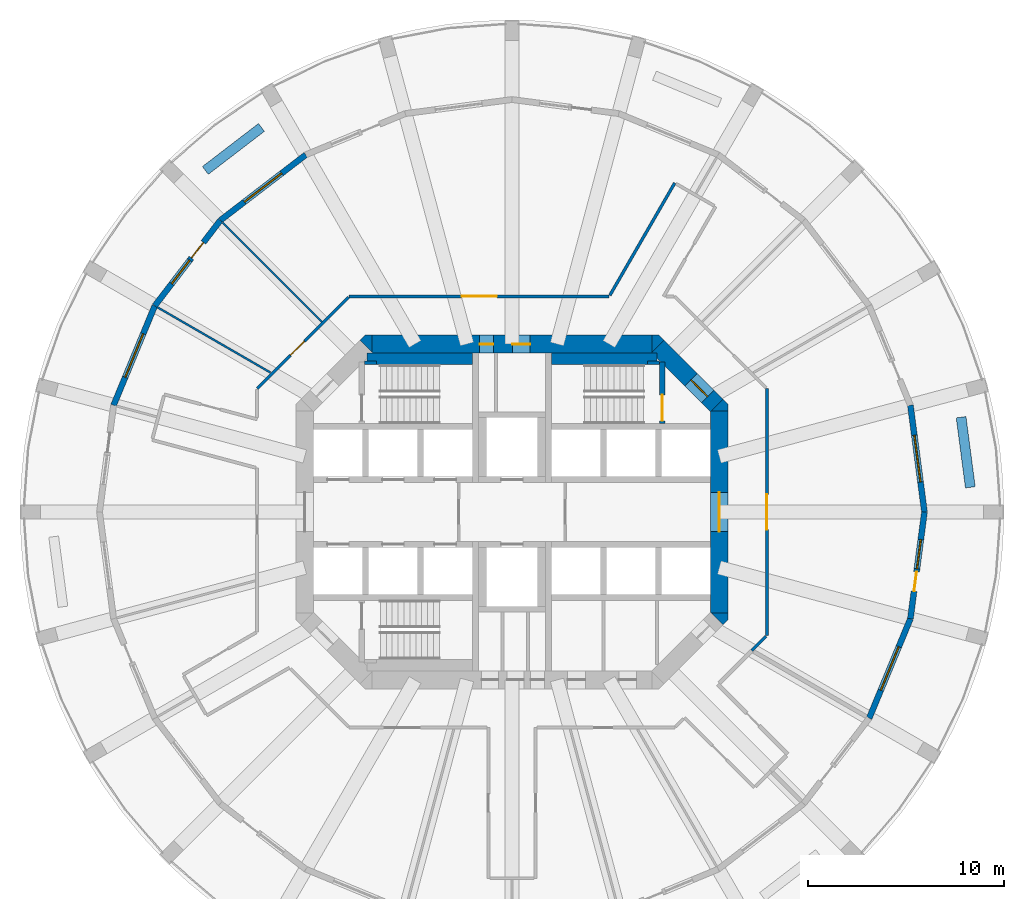
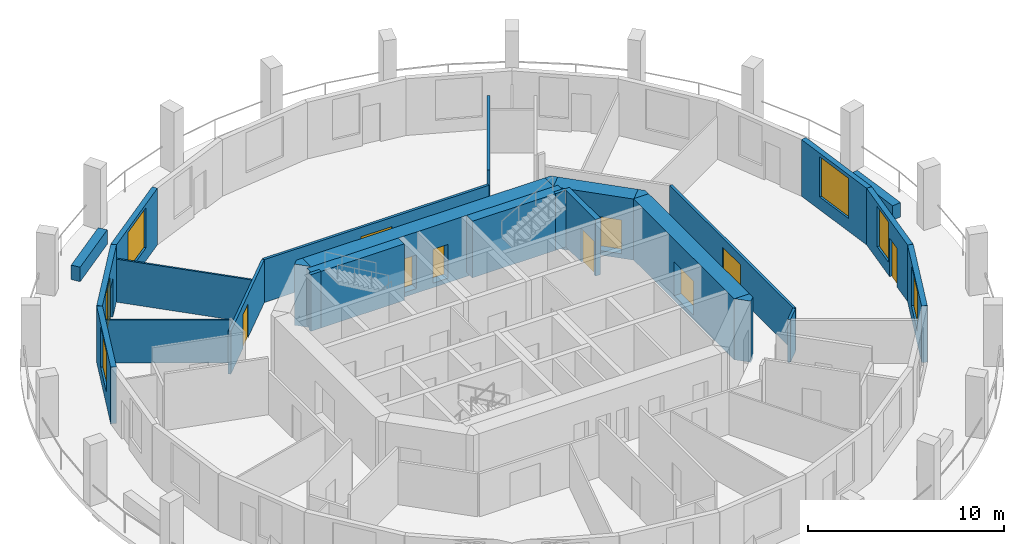
# One storey, part 5 of 8: 27 walls, 10 doors, 6 windows, 16 openings.
"""IFC4 building model written with IfcOpenShell, lengths in metres."""

from ifc_helpers import new_model, si_unit, direction, frame, frame_2d, origin, place, context, subcontext, project, spatial, polyline, rectangle, outline, extrude, material, layer, layer_set, type_object, element, fill, save


model = new_model("IFC4")

# Units and contexts
model_context = context("Model", 3, precision=1e-05, world=origin(), true_north=direction((0.0, 1.0)))
body_context = subcontext(model_context, "Body", "Model", "MODEL_VIEW")
ifc_project = project(units=[si_unit("LENGTHUNIT", "METRE"), si_unit("AREAUNIT", "SQUARE_METRE"), si_unit("VOLUMEUNIT", "CUBIC_METRE"), si_unit("PLANEANGLEUNIT", "RADIAN"), si_unit("MASSUNIT", "GRAM", prefix="KILO")], contexts=[model_context])

# Site, building, storey
site_placement = place(None, origin())
site = spatial("IfcSite", under=ifc_project, at=site_placement, CompositionType="ELEMENT")
building_placement = place(site_placement, origin())
building = spatial("IfcBuilding", under=site, at=building_placement, Name="Torre Triforio", CompositionType="ELEMENT")
storey_placement = place(building_placement, frame((0.0, 0.0, 116.199951171875)))
storey = spatial("IfcBuildingStorey", under=building, at=storey_placement, Name="L25", CompositionType="ELEMENT", Elevation=116.199951171875)

# Wall, openings, doors
ifc_material_1 = material(Name="Concrete C60", Category="concrete")
ifc_layer_1 = layer(ifc_material_1, 0.89990234375)
ifc_layer_set_1 = layer_set([ifc_layer_1], Name="Concrete C60")
wall_type_1 = type_object("IfcWallType", Name="Core wall 900 mm C60 EI 120", PredefinedType="SHEAR", material=ifc_layer_set_1)
wall_1_placement = place(storey_placement, frame((-7.1298828125, 8.550048828125, -0.280029296875), z_axis=(0.0, 0.0, 1.0), x_axis=(1.0, 0.0, 0.0)))
wall_1 = element("IfcWall", 1, at=wall_1_placement, inside=storey, type_object=wall_type_1, Name="Core wall", PredefinedType="SHEAR", context=body_context, shape_type="SweptSolid", body=[
    extrude(rectangle(XDim=14.259765625, YDim=0.89990234375, at=frame_2d((7.1298828125, 0.0))), origin(), (0.0, 0.0, 1.0), 3.800048828125),
])
opening_1_placement = place(wall_1_placement, frame((5.47998046875, 0.0, 0.280029296875)))
opening_1 = element("IfcOpeningElement", 2, at=opening_1_placement, cuts=wall_1, Name="Opening RISER-N", PredefinedType="OPENING", context=body_context, shape_type="SweptSolid", body=[
    extrude(rectangle(XDim=0.699951171875, YDim=2.10009765625, at=frame_2d((0.35009765625, 1.050048828125))), frame((0.0, 0.4599609375, 0.0), z_axis=(0.0, -1.0, 0.0), x_axis=(1.0, 0.0, 0.0)), (0.0, 0.0, 1.0), 0.919921875),
])
opening_2_placement = place(wall_1_placement, frame((7.155029296875, 0.0, 0.280029296875)))
opening_2 = element("IfcOpeningElement", 3, at=opening_2_placement, cuts=wall_1, Name="Opening NE-01", PredefinedType="OPENING", context=body_context, shape_type="SweptSolid", body=[
    extrude(rectangle(XDim=0.89990234375, YDim=2.10009765625, at=frame_2d((0.449951171875, 1.050048828125))), frame((0.0, 0.4599609375, 0.0), z_axis=(0.0, -1.0, 0.0), x_axis=(1.0, 0.0, 0.0)), (0.0, 0.0, 1.0), 0.919921875),
])
ifc_material_2 = material(Name="Hollow metal fire door leaf")
door_type_1 = type_object("IfcDoorType", Name="Riser door 700 x 2100 EI 60", OperationType="NOTDEFINED", PredefinedType="DOOR", material=ifc_material_2)
door_1_placement = place(opening_1_placement, origin())
door_1 = element("IfcDoor", 4, at=door_1_placement, inside=storey, type_object=door_type_1, Name="Core door RISER-N", OperationType="SINGLE_SWING_LEFT", OverallHeight=2.10009765625, OverallWidth=0.699951171875, PredefinedType="DOOR", context=body_context, shape_type="SweptSolid", body=[
    extrude(rectangle(XDim=0.699951171875, YDim=2.10009765625, at=frame_2d((0.35009765625, 1.050048828125))), frame((0.0, 0.02490234375, 0.0), z_axis=(0.0, -1.0, 0.0), x_axis=(1.0, 0.0, 0.0)), (0.0, 0.0, 1.0), 0.050048828125),
])
fill(opening_1, door_1)
door_type_2 = type_object("IfcDoorType", Name="Room door 900 x 2100 EI 60", OperationType="NOTDEFINED", PredefinedType="DOOR", material=ifc_material_2)
door_2_placement = place(opening_2_placement, origin())
door_2 = element("IfcDoor", 5, at=door_2_placement, inside=storey, type_object=door_type_2, Name="Core door NE-01", OperationType="SINGLE_SWING_RIGHT", OverallHeight=2.10009765625, OverallWidth=0.89990234375, PredefinedType="DOOR", context=body_context, shape_type="SweptSolid", body=[
    extrude(rectangle(XDim=0.89990234375, YDim=2.10009765625, at=frame_2d((0.449951171875, 1.050048828125))), frame((0.0, 0.02490234375, 0.0), z_axis=(0.0, -1.0, 0.0), x_axis=(1.0, 0.0, 0.0)), (0.0, 0.0, 1.0), 0.050048828125),
])
fill(opening_2, door_2)

# Wall, opening, door
wall_2_placement = place(storey_placement, frame((10.550048828125, -5.1298828125, -0.280029296875), z_axis=(0.0, 0.0, 1.0), x_axis=(0.0, 1.0, 0.0)))
wall_2 = element("IfcWall", 6, at=wall_2_placement, inside=storey, type_object=wall_type_1, Name="Core wall", PredefinedType="SHEAR", context=body_context, shape_type="SweptSolid", body=[
    extrude(rectangle(XDim=10.259765625, YDim=0.89990234375, at=frame_2d((5.1298828125, 0.0))), origin(), (0.0, 0.0, 1.0), 3.800048828125),
])
opening_3_placement = place(wall_2_placement, frame((4.1298828125, 0.0, 0.280029296875)))
opening_3 = element("IfcOpeningElement", 7, at=opening_3_placement, cuts=wall_2, Name="Opening E-RING", PredefinedType="OPENING", context=body_context, shape_type="SweptSolid", body=[
    extrude(rectangle(XDim=2.0, YDim=2.10009765625, at=frame_2d((1.0, 1.050048828125))), frame((0.0, 0.4599609375, 0.0), z_axis=(0.0, -1.0, 0.0), x_axis=(1.0, 0.0, 0.0)), (0.0, 0.0, 1.0), 0.919921875),
])
door_type_3 = type_object("IfcDoorType", Name="Lobby door 2000 x 2100 EI 60", OperationType="DOUBLE_DOOR_SINGLE_SWING", PredefinedType="DOOR", material=ifc_material_2)
door_3_placement = place(opening_3_placement, origin())
door_3 = element("IfcDoor", 8, at=door_3_placement, inside=storey, type_object=door_type_3, Name="Core door E-RING", OperationType="DOUBLE_DOOR_SINGLE_SWING", OverallHeight=2.10009765625, OverallWidth=2.0, PredefinedType="DOOR", context=body_context, shape_type="SweptSolid", body=[
    extrude(rectangle(XDim=2.0, YDim=2.10009765625, at=frame_2d((1.0, 1.050048828125))), frame((0.0, 0.02490234375, 0.0), z_axis=(0.0, -1.0, 0.0), x_axis=(1.0, 0.0, 0.0)), (0.0, 0.0, 1.0), 0.050048828125),
])
fill(opening_3, door_3)

wall_3_placement = place(storey_placement, frame((7.418212890625, 8.418212890625, -0.280029296875), z_axis=(0.0, 0.0, 1.0), x_axis=(0.707106781187, -0.707106781187, 0.0)))
wall_3 = element("IfcWall", 9, at=wall_3_placement, inside=storey, type_object=wall_type_1, Name="Core wall", PredefinedType="SHEAR", context=body_context, shape_type="SweptSolid", body=[
    extrude(rectangle(XDim=4.24267578125, YDim=0.89990234375, at=frame_2d((2.121337890625, 0.0))), origin(), (0.0, 0.0, 1.0), 3.800048828125),
])
opening_4_placement = place(wall_3_placement, frame((2.392578125, 0.0, 0.280029296875)))
opening_4 = element("IfcOpeningElement", 10, at=opening_4_placement, cuts=wall_3, Name="Opening ST2-EXIT", PredefinedType="OPENING", context=body_context, shape_type="SweptSolid", body=[
    extrude(rectangle(XDim=1.199951171875, YDim=2.10009765625, at=frame_2d((0.60009765625, 1.050048828125))), frame((0.0, 0.4599609375, 0.0), z_axis=(0.0, -1.0, 0.0), x_axis=(1.0, 0.0, 0.0)), (0.0, 0.0, 1.0), 0.919921875),
])
door_type_4 = type_object("IfcDoorType", Name="Stair lobby door 1200 x 2100 EI 60", OperationType="NOTDEFINED", PredefinedType="DOOR", material=ifc_material_2)
door_4_placement = place(opening_4_placement, origin())
door_4 = element("IfcDoor", 11, at=door_4_placement, inside=storey, type_object=door_type_4, Name="Core door ST2-EXIT", OperationType="SINGLE_SWING_RIGHT", OverallHeight=2.10009765625, OverallWidth=1.199951171875, PredefinedType="DOOR", context=body_context, shape_type="SweptSolid", body=[
    extrude(rectangle(XDim=1.199951171875, YDim=2.10009765625, at=frame_2d((0.60009765625, 1.050048828125))), frame((0.0, 0.02490234375, 0.0), z_axis=(0.0, -1.0, 0.0), x_axis=(1.0, 0.0, 0.0)), (0.0, 0.0, 1.0), 0.050048828125),
])
fill(opening_4, door_4)

# Walls
wall_4_placement = place(storey_placement, frame((0.0, 0.0, -0.280029296875)))
element("IfcWall", 12, at=wall_4_placement, inside=storey, type_object=wall_type_1, Name="Core wall", PredefinedType="SHEAR", context=body_context, shape_type="SweptSolid", body=[
    extrude(outline(polyline([(11.0, -5.472900390625), (10.736328125, -5.736328125), (10.1298828125, -5.1298828125), (11.0, -5.1298828125), (11.0, -5.472900390625)])), origin(), (0.0, 0.0, 1.0), 3.800048828125),
])
wall_5_placement = place(storey_placement, frame((0.0, 0.0, -0.280029296875)))
element("IfcWall", 13, at=wall_5_placement, inside=storey, type_object=wall_type_1, Name="Core wall", PredefinedType="SHEAR", context=body_context, shape_type="SweptSolid", body=[
    extrude(outline(polyline([(11.0, 5.472900390625), (11.0, 5.1298828125), (10.1298828125, 5.1298828125), (10.736328125, 5.736328125), (11.0, 5.472900390625)])), origin(), (0.0, 0.0, 1.0), 3.800048828125),
])
wall_6_placement = place(storey_placement, frame((0.0, 0.0, -0.280029296875)))
element("IfcWall", 14, at=wall_6_placement, inside=storey, type_object=wall_type_1, Name="Core wall", PredefinedType="SHEAR", context=body_context, shape_type="SweptSolid", body=[
    extrude(outline(polyline([(-7.472900390625, 9.0), (-7.1298828125, 9.0), (-7.1298828125, 8.1298828125), (-7.736328125, 8.736328125), (-7.472900390625, 9.0)])), origin(), (0.0, 0.0, 1.0), 3.800048828125),
])
wall_7_placement = place(storey_placement, frame((0.0, 0.0, -0.280029296875)))
element("IfcWall", 15, at=wall_7_placement, inside=storey, type_object=wall_type_1, Name="Core wall", PredefinedType="SHEAR", context=body_context, shape_type="SweptSolid", body=[
    extrude(outline(polyline([(7.472900390625, 9.0), (7.736328125, 8.736328125), (7.1298828125, 8.1298828125), (7.1298828125, 9.0), (7.472900390625, 9.0)])), origin(), (0.0, 0.0, 1.0), 3.800048828125),
])

# Wall, opening, door
ifc_material_3 = material(Name="Plasterboard on metal studs")
ifc_layer_2 = layer(ifc_material_3, 0.14990234375)
ifc_layer_set_2 = layer_set([ifc_layer_2], Name="Plasterboard on metal studs")
wall_type_2 = type_object("IfcWallType", Name="Corridor and tenancy wall 150 mm EI 60", PredefinedType="PARTITIONING", material=ifc_layer_set_2)
wall_8_placement = place(storey_placement, frame((-12.97509765625, 6.291015625, 0.0), z_axis=(0.0, 0.0, 1.0), x_axis=(0.707125355289, 0.707088206597, 0.0)))
wall_8 = element("IfcWall", 16, at=wall_8_placement, inside=storey, type_object=wall_type_2, Name="Partition 8", PredefinedType="PARTITIONING", context=body_context, shape_type="SweptSolid", body=[
    extrude(rectangle(XDim=6.572021484375, YDim=0.14990234375, at=frame_2d((3.2861328125, 0.0))), origin(), (0.0, 0.0, 1.0), 2.670166015625),
])
opening_5_placement = place(wall_8_placement, frame((2.400390625, 0.0, 0.0)))
opening_5 = element("IfcOpeningElement", 17, at=opening_5_placement, cuts=wall_8, Name="Opening D1-02", PredefinedType="OPENING", context=body_context, shape_type="SweptSolid", body=[
    extrude(rectangle(XDim=1.0, YDim=2.10009765625, at=frame_2d((0.5, 1.050048828125))), frame((0.0, 0.0849609375, 0.0), z_axis=(0.0, -1.0, 0.0), x_axis=(1.0, 0.0, 0.0)), (0.0, 0.0, 1.0), 0.169921875),
])
ifc_material_4 = material(Name="Timber", Category="wood")
door_type_5 = type_object("IfcDoorType", Name="Door 1000 x 2100 single leaf EI 30", OperationType="NOTDEFINED", PredefinedType="DOOR", material=ifc_material_4)
door_5_placement = place(opening_5_placement, origin())
door_5 = element("IfcDoor", 18, at=door_5_placement, inside=storey, type_object=door_type_5, Name="Door D1-02", OperationType="SINGLE_SWING_RIGHT", OverallHeight=2.10009765625, OverallWidth=1.0, PredefinedType="DOOR", context=body_context, shape_type="SweptSolid", body=[
    extrude(rectangle(XDim=1.0, YDim=2.10009765625, at=frame_2d((0.5, 1.050048828125))), frame((0.0, 0.02490234375, 0.0), z_axis=(0.0, -1.0, 0.0), x_axis=(1.0, 0.0, 0.0)), (0.0, 0.0, 1.0), 0.050048828125),
])
fill(opening_5, door_5)

wall_9_placement = place(storey_placement, frame((-8.291015625, 10.97509765625, 0.0), z_axis=(0.0, 0.0, 1.0), x_axis=(1.0, 0.0, 0.0)))
wall_9 = element("IfcWall", 19, at=wall_9_placement, inside=storey, type_object=wall_type_2, Name="Partition 9", PredefinedType="PARTITIONING", context=body_context, shape_type="SweptSolid", body=[
    extrude(rectangle(XDim=13.24169921875, YDim=0.14990234375, at=frame_2d((6.620849609375, 0.0))), origin(), (0.0, 0.0, 1.0), 2.670166015625),
])
opening_6_placement = place(wall_9_placement, frame((5.720703125, 0.0, 0.0)))
opening_6 = element("IfcOpeningElement", 20, at=opening_6_placement, cuts=wall_9, Name="Opening D1-01", PredefinedType="OPENING", context=body_context, shape_type="SweptSolid", body=[
    extrude(rectangle(XDim=1.800048828125, YDim=2.10009765625, at=frame_2d((0.89990234375, 1.050048828125))), frame((0.0, 0.0849609375, 0.0), z_axis=(0.0, -1.0, 0.0), x_axis=(1.0, 0.0, 0.0)), (0.0, 0.0, 1.0), 0.169921875),
])
door_type_6 = type_object("IfcDoorType", Name="Door 1800 x 2100 double leaf EI 30", OperationType="DOUBLE_DOOR_SINGLE_SWING", PredefinedType="DOOR", material=ifc_material_4)
door_6_placement = place(opening_6_placement, origin())
door_6 = element("IfcDoor", 21, at=door_6_placement, inside=storey, type_object=door_type_6, Name="Door D1-01", OperationType="DOUBLE_DOOR_SINGLE_SWING", OverallHeight=2.10009765625, OverallWidth=1.800048828125, PredefinedType="DOOR", context=body_context, shape_type="SweptSolid", body=[
    extrude(rectangle(XDim=1.800048828125, YDim=2.10009765625, at=frame_2d((0.89990234375, 1.050048828125))), frame((0.0, 0.02490234375, 0.0), z_axis=(0.0, -1.0, 0.0), x_axis=(1.0, 0.0, 0.0)), (0.0, 0.0, 1.0), 0.050048828125),
])
fill(opening_6, door_6)

# Wall
wall_10_placement = place(storey_placement, frame((4.9833984375, 11.03125, 0.0), z_axis=(0.0, 0.0, 1.0), x_axis=(0.499988075443, 0.866032288321, 0.0)))
element("IfcWall", 22, at=wall_10_placement, inside=storey, type_object=wall_type_2, Name="Partition 10", PredefinedType="PARTITIONING", context=body_context, shape_type="SweptSolid", body=[
    extrude(rectangle(XDim=6.603759765625, YDim=0.14990234375, at=frame_2d((3.3017578125, 0.0))), origin(), (0.0, 0.0, 1.0), 3.52001953125),
])

# Wall, opening, door
wall_11_placement = place(storey_placement, frame((12.97509765625, 6.291015625, 0.0), z_axis=(0.0, 0.0, 1.0), x_axis=(0.0, -1.0, 0.0)))
wall_11 = element("IfcWall", 23, at=wall_11_placement, inside=storey, type_object=wall_type_2, Name="Partition 15", PredefinedType="PARTITIONING", context=body_context, shape_type="SweptSolid", body=[
    extrude(rectangle(XDim=12.58203125, YDim=0.14990234375, at=frame_2d((6.291015625, 0.0))), origin(), (0.0, 0.0, 1.0), 2.670166015625),
])
opening_7_placement = place(wall_11_placement, frame((5.390869140625, 0.0, 0.0)))
opening_7 = element("IfcOpeningElement", 24, at=opening_7_placement, cuts=wall_11, Name="Opening D1-12", PredefinedType="OPENING", context=body_context, shape_type="SweptSolid", body=[
    extrude(rectangle(XDim=1.800048828125, YDim=2.10009765625, at=frame_2d((0.89990234375, 1.050048828125))), frame((0.0, 0.0849609375, 0.0), z_axis=(0.0, -1.0, 0.0), x_axis=(1.0, 0.0, 0.0)), (0.0, 0.0, 1.0), 0.169921875),
])
door_7_placement = place(opening_7_placement, origin())
door_7 = element("IfcDoor", 25, at=door_7_placement, inside=storey, type_object=door_type_6, Name="Door D1-12", OperationType="DOUBLE_DOOR_SINGLE_SWING", OverallHeight=2.10009765625, OverallWidth=1.800048828125, PredefinedType="DOOR", context=body_context, shape_type="SweptSolid", body=[
    extrude(rectangle(XDim=1.800048828125, YDim=2.10009765625, at=frame_2d((0.89990234375, 1.050048828125))), frame((0.0, 0.02490234375, 0.0), z_axis=(0.0, -1.0, 0.0), x_axis=(1.0, 0.0, 0.0)), (0.0, 0.0, 1.0), 0.050048828125),
])
fill(opening_7, door_7)

# Walls
wall_12_placement = place(storey_placement, frame((12.93798828125, -6.327880859375, 0.0), z_axis=(0.0, 0.0, 1.0), x_axis=(-0.707106781187, -0.707106781187, 0.0)))
element("IfcWall", 26, at=wall_12_placement, inside=storey, type_object=wall_type_2, Name="Partition 16", PredefinedType="PARTITIONING", context=body_context, shape_type="SweptSolid", body=[
    extrude(rectangle(XDim=1.023681640625, YDim=0.14990234375, at=frame_2d((0.51171875, 0.0))), origin(), (0.0, 0.0, 1.0), 2.670166015625),
])
ifc_layer_3 = layer(ifc_material_3, 0.10009765625)
ifc_layer_set_3 = layer_set([ifc_layer_3], Name="Plasterboard on metal studs")
wall_type_3 = type_object("IfcWallType", Name="Partition 100 mm board on metal studs", PredefinedType="PARTITIONING", material=ifc_layer_set_3)
wall_13_placement = place(storey_placement, frame((-9.68603515625, 9.68603515625, 0.0), z_axis=(0.0, 0.0, 1.0), x_axis=(-0.707106781187, 0.707106781187, 0.0)))
element("IfcWall", 27, at=wall_13_placement, inside=storey, type_object=wall_type_3, Name="Partition 33", PredefinedType="PARTITIONING", context=body_context, shape_type="SweptSolid", body=[
    extrude(rectangle(XDim=7.138671875, YDim=0.10009765625, at=frame_2d((3.5693359375, 0.0))), origin(), (0.0, 0.0, 1.0), 2.670166015625),
])
wall_14_placement = place(storey_placement, frame((-12.294189453125, 7.097900390625, 0.0), z_axis=(0.0, 0.0, 1.0), x_axis=(-0.866010486135, 0.500025837236, 0.0)))
element("IfcWall", 28, at=wall_14_placement, inside=storey, type_object=wall_type_3, Name="Partition 34", PredefinedType="PARTITIONING", context=body_context, shape_type="SweptSolid", body=[
    extrude(rectangle(XDim=6.640869140625, YDim=0.10009765625, at=frame_2d((3.3203125, 0.0))), origin(), (0.0, 0.0, 1.0), 2.670166015625),
])
ifc_material_5 = material(Name="Limestone cladding", Category="masonry")
ifc_layer_4 = layer(ifc_material_5, 0.10009765625)
ifc_material_6 = material(Name="Concrete C40", Category="concrete")
ifc_layer_5 = layer(ifc_material_6, 0.39990234375)
ifc_layer_set_4 = layer_set([ifc_layer_4, ifc_layer_5], Name="Limestone cladding / Concrete C40")
wall_type_4 = type_object("IfcWallType", Name="Planter wall 500", PredefinedType="PARAPET", material=ifc_layer_set_4)
for number, where, z_axis, x_axis, name in (
    (29, (23.335693359375, 1.256591796875, 0.0), (0.0, 0.0, 1.0), (-0.130542222659, 0.991442750795, 0.0), "Planter L25 bay 01"),
    (30, (-12.756103515625, 19.580810546875, 0.0), (0.0, 0.0, 1.0), (-0.793384730612, -0.608720518162, 0.0), "Planter L25 bay 09"),
):
    element("IfcWall", number, at=place(storey_placement, frame(where, z_axis=z_axis, x_axis=x_axis)), inside=storey, type_object=wall_type_4, Name=name, PredefinedType="PARAPET", context=body_context, shape_type="SweptSolid", body=[
        extrude(rectangle(XDim=3.60009765625, YDim=0.5, at=frame_2d((1.800048828125, 0.0))), origin(), (0.0, 0.0, 1.0), 0.900146484375),
    ])
ifc_layer_6 = layer(ifc_material_1, 0.199951171875)
ifc_layer_set_5 = layer_set([ifc_layer_6], Name="Concrete C60")
wall_type_5 = type_object("IfcWallType", Name="Stair wall 200 mm C60 EI 120", PredefinedType="SHEAR", material=ifc_layer_set_5)
for number, where, z_axis, x_axis, name in (
    (31, (-7.5, 7.60009765625, 0.0), (0.0, 0.0, 1.0), (1.0, 0.0, 0.0), "Stair wall"),
    (32, (6.89990234375, 7.60009765625, 0.0), (0.0, 0.0, 1.0), (1.0, 0.0, 0.0), "Stair wall"),
):
    element("IfcWall", number, at=place(storey_placement, frame(where, z_axis=z_axis, x_axis=x_axis)), inside=storey, type_object=wall_type_5, Name=name, PredefinedType="SHEAR", context=body_context, shape_type="SweptSolid", body=[
        extrude(rectangle(XDim=0.60009765625, YDim=0.199951171875, at=frame_2d((0.300048828125, 0.0))), origin(), (0.0, 0.0, 1.0), 3.52001953125),
    ])

# Wall, opening, door
ifc_layer_7 = layer(ifc_material_1, 0.300048828125)
ifc_layer_set_6 = layer_set([ifc_layer_7], Name="Concrete C60")
wall_type_6 = type_object("IfcWallType", Name="Stair wall 300 mm C60 EI 120", PredefinedType="SHEAR", material=ifc_layer_set_6)
wall_15_placement = place(storey_placement, frame((7.64990234375, 4.5, 0.0), z_axis=(0.0, 0.0, 1.0), x_axis=(0.0, 1.0, 0.0)))
wall_15 = element("IfcWall", 33, at=wall_15_placement, inside=storey, type_object=wall_type_6, Name="Stair wall", PredefinedType="SHEAR", context=body_context, shape_type="SweptSolid", body=[
    extrude(rectangle(XDim=3.139892578125, YDim=0.300048828125, at=frame_2d((1.56982421875, 0.0))), origin(), (0.0, 0.0, 1.0), 3.52001953125),
])
opening_8_placement = place(wall_15_placement, frame((0.139892578125, 0.0, 0.0)))
opening_8 = element("IfcOpeningElement", 34, at=opening_8_placement, cuts=wall_15, Name="Opening ST2-STA", PredefinedType="OPENING", context=body_context, shape_type="SweptSolid", body=[
    extrude(rectangle(XDim=1.320068359375, YDim=2.10009765625, at=frame_2d((0.66015625, 1.050048828125))), frame((0.0, 0.159912109375, 0.0), z_axis=(0.0, -1.0, 0.0), x_axis=(1.0, 0.0, 0.0)), (0.0, 0.0, 1.0), 0.320068359375),
])
door_type_7 = type_object("IfcDoorType", Name="Stair door 1320 x 2100 EI 90", OperationType="DOUBLE_DOOR_SINGLE_SWING", PredefinedType="DOOR", material=ifc_material_2)
door_8_placement = place(opening_8_placement, origin())
door_8 = element("IfcDoor", 35, at=door_8_placement, inside=storey, type_object=door_type_7, Name="Core door ST2-ST", OperationType="DOUBLE_DOOR_SINGLE_SWING", OverallHeight=2.10009765625, OverallWidth=1.320068359375, PredefinedType="DOOR", context=body_context, shape_type="SweptSolid", body=[
    extrude(rectangle(XDim=1.320068359375, YDim=2.10009765625, at=frame_2d((0.66015625, 1.050048828125))), frame((0.0, 0.02490234375, 0.0), z_axis=(0.0, -1.0, 0.0), x_axis=(1.0, 0.0, 0.0)), (0.0, 0.0, 1.0), 0.050048828125),
])
fill(opening_8, door_8)

# Walls
ifc_layer_8 = layer(ifc_material_1, 0.60009765625)
ifc_layer_set_7 = layer_set([ifc_layer_8], Name="Concrete C60")
wall_type_7 = type_object("IfcWallType", Name="Stair wall 600 mm C60 EI 120", PredefinedType="SHEAR", material=ifc_layer_set_7)
for number, where, z_axis, x_axis, name in (
    (36, (-7.3701171875, 7.800048828125, 0.0), (0.0, 0.0, 1.0), (1.0, 0.0, 0.0), "Stair wall"),
    (37, (2.0, 7.800048828125, 0.0), (0.0, 0.0, 1.0), (1.0, 0.0, 0.0), "Stair wall"),
):
    element("IfcWall", number, at=place(storey_placement, frame(where, z_axis=z_axis, x_axis=x_axis)), inside=storey, type_object=wall_type_7, Name=name, PredefinedType="SHEAR", context=body_context, shape_type="SweptSolid", body=[
        extrude(rectangle(XDim=5.3701171875, YDim=0.60009765625, at=frame_2d((2.68505859375, 0.0))), origin(), (0.0, 0.0, 1.0), 3.52001953125),
    ])

# Wall, opening, window
ifc_layer_9 = layer(ifc_material_5, 0.10009765625)
ifc_layer_10 = layer(ifc_material_6, 0.199951171875)
ifc_layer_set_8 = layer_set([ifc_layer_9, ifc_layer_10], Name="Limestone cladding / Concrete C40")
wall_type_8 = type_object("IfcWallType", Name="Stone-faced composite wall 300", PredefinedType="STANDARD", material=ifc_layer_set_8)
wall_16_placement = place(storey_placement, frame((21.0, 0.0, 0.0), z_axis=(0.0, 0.0, 1.0), x_axis=(-0.130527087244, 0.991444743541, 0.0)))
wall_16 = element("IfcWall", 38, at=wall_16_placement, inside=storey, type_object=wall_type_8, Name="External wall L25 bay 01", PredefinedType="STANDARD", context=body_context, shape_type="SweptSolid", body=[
    extrude(rectangle(XDim=5.482177734375, YDim=0.300048828125, at=frame_2d((2.7412109375, 0.0))), origin(), (0.0, 0.0, 1.0), 3.52001953125),
])
opening_9_placement = place(wall_16_placement, frame((1.541015625, 0.0, 0.800048828125)))
opening_9 = element("IfcOpeningElement", 39, at=opening_9_placement, cuts=wall_16, Name="Opening D1-W01", PredefinedType="OPENING", context=body_context, shape_type="SweptSolid", body=[
    extrude(rectangle(XDim=2.39990234375, YDim=2.5, at=frame_2d((1.199951171875, 1.25))), frame((0.0, 0.159912109375, 0.0), z_axis=(0.0, -1.0, 0.0), x_axis=(1.0, 0.0, 0.0)), (0.0, 0.0, 1.0), 0.320068359375),
])
ifc_material_7 = material(Name="Aluminium frame with clear double glazing", Category="aluminium")
window_type_1 = type_object("IfcWindowType", Name="Punched window 2400 x 2500", PartitioningType="DOUBLE_PANEL_VERTICAL", PredefinedType="WINDOW", material=ifc_material_7)
window_1_placement = place(opening_9_placement, origin())
window_1 = element("IfcWindow", 40, at=window_1_placement, inside=storey, type_object=window_type_1, Name="Window EWN3 L25 bay 01", OverallHeight=2.5, OverallWidth=2.39990234375, PartitioningType="SINGLE_PANEL", PredefinedType="WINDOW", context=body_context, shape_type="SweptSolid", body=[
    extrude(rectangle(XDim=2.39990234375, YDim=2.5, at=frame_2d((1.199951171875, 1.25))), frame((0.0, 0.030029296875, 0.0), z_axis=(0.0, -1.0, 0.0), x_axis=(1.0, 0.0, 0.0)), (0.0, 0.0, 1.0), 0.06005859375),
])
fill(opening_9, window_1)

wall_17_placement = place(storey_placement, frame((-10.5, 18.1865234375, 0.0), z_axis=(0.0, 0.0, 1.0), x_axis=(-0.793335336593, -0.608784891166, 0.0)))
wall_17 = element("IfcWall", 41, at=wall_17_placement, inside=storey, type_object=wall_type_8, Name="External wall L25 bay 09", PredefinedType="STANDARD", context=body_context, shape_type="SweptSolid", body=[
    extrude(rectangle(XDim=5.482177734375, YDim=0.300048828125, at=frame_2d((2.7412109375, 0.0))), origin(), (0.0, 0.0, 1.0), 3.52001953125),
])
opening_10_placement = place(wall_17_placement, frame((1.541015625, 0.0, 0.800048828125)))
opening_10 = element("IfcOpeningElement", 42, at=opening_10_placement, cuts=wall_17, Name="Opening D1-W09", PredefinedType="OPENING", context=body_context, shape_type="SweptSolid", body=[
    extrude(rectangle(XDim=2.39990234375, YDim=2.5, at=frame_2d((1.199951171875, 1.25))), frame((0.0, 0.159912109375, 0.0), z_axis=(0.0, -1.0, 0.0), x_axis=(1.0, 0.0, 0.0)), (0.0, 0.0, 1.0), 0.320068359375),
])
window_2_placement = place(opening_10_placement, origin())
window_2 = element("IfcWindow", 43, at=window_2_placement, inside=storey, type_object=window_type_1, Name="Window EWN3 L25 bay 09", OverallHeight=2.5, OverallWidth=2.39990234375, PartitioningType="SINGLE_PANEL", PredefinedType="WINDOW", context=body_context, shape_type="SweptSolid", body=[
    extrude(rectangle(XDim=2.39990234375, YDim=2.5, at=frame_2d((1.199951171875, 1.25))), frame((0.0, 0.030029296875, 0.0), z_axis=(0.0, -1.0, 0.0), x_axis=(1.0, 0.0, 0.0)), (0.0, 0.0, 1.0), 0.06005859375),
])
fill(opening_10, window_2)

# Wall, openings, door, window
wall_18_placement = place(storey_placement, frame((-14.84912109375, 14.84912109375, 0.0), z_axis=(0.0, 0.0, 1.0), x_axis=(-0.608784891166, -0.793335336593, 0.0)))
wall_18 = element("IfcWall", 44, at=wall_18_placement, inside=storey, type_object=wall_type_8, Name="External wall L25 bay 10", PredefinedType="STANDARD", context=body_context, shape_type="SweptSolid", body=[
    extrude(rectangle(XDim=5.482177734375, YDim=0.300048828125, at=frame_2d((2.7412109375, 0.0))), origin(), (0.0, 0.0, 1.0), 3.52001953125),
])
opening_11_placement = place(wall_18_placement, frame((1.416015625, 0.0, 0.0)))
opening_11 = element("IfcOpeningElement", 45, at=opening_11_placement, cuts=wall_18, Name="Opening D1-D10", PredefinedType="OPENING", context=body_context, shape_type="SweptSolid", body=[
    extrude(rectangle(XDim=1.0, YDim=2.39990234375, at=frame_2d((0.5, 1.199951171875))), frame((0.0, 0.159912109375, 0.0), z_axis=(0.0, -1.0, 0.0), x_axis=(1.0, 0.0, 0.0)), (0.0, 0.0, 1.0), 0.320068359375),
])
opening_12_placement = place(wall_18_placement, frame((2.56591796875, 0.0, 0.800048828125)))
opening_12 = element("IfcOpeningElement", 46, at=opening_12_placement, cuts=wall_18, Name="Opening D1-W10A", PredefinedType="OPENING", context=body_context, shape_type="SweptSolid", body=[
    extrude(rectangle(XDim=1.5, YDim=2.5, at=frame_2d((0.75, 1.25))), frame((0.0, 0.159912109375, 0.0), z_axis=(0.0, -1.0, 0.0), x_axis=(1.0, 0.0, 0.0)), (0.0, 0.0, 1.0), 0.320068359375),
])
door_type_8 = type_object("IfcDoorType", Name="Loggia door 1000 x 2400", OperationType="NOTDEFINED", PredefinedType="DOOR", material=ifc_material_7)
door_9_placement = place(opening_11_placement, origin())
door_9 = element("IfcDoor", 47, at=door_9_placement, inside=storey, type_object=door_type_8, Name="Loggia door L25 bay 10", OperationType="SINGLE_SWING_LEFT", OverallHeight=2.39990234375, OverallWidth=1.0, PredefinedType="DOOR", context=body_context, shape_type="SweptSolid", body=[
    extrude(rectangle(XDim=1.0, YDim=2.39990234375, at=frame_2d((0.5, 1.199951171875))), frame((0.0, 0.02490234375, 0.0), z_axis=(0.0, -1.0, 0.0), x_axis=(1.0, 0.0, 0.0)), (0.0, 0.0, 1.0), 0.050048828125),
])
fill(opening_11, door_9)
window_type_2 = type_object("IfcWindowType", Name="Side window 1500 x 2500", PartitioningType="SINGLE_PANEL", PredefinedType="WINDOW", material=ifc_material_7)
window_3_placement = place(opening_12_placement, origin())
window_3 = element("IfcWindow", 48, at=window_3_placement, inside=storey, type_object=window_type_2, Name="Side window EWN13 L25 bay 10", OverallHeight=2.5, OverallWidth=1.5, PartitioningType="SINGLE_PANEL", PredefinedType="WINDOW", context=body_context, shape_type="SweptSolid", body=[
    extrude(rectangle(XDim=1.5, YDim=2.5, at=frame_2d((0.75, 1.25))), frame((0.0, 0.030029296875, 0.0), z_axis=(0.0, -1.0, 0.0), x_axis=(1.0, 0.0, 0.0)), (0.0, 0.0, 1.0), 0.06005859375),
])
fill(opening_12, window_3)

# Wall, opening, window
wall_19_placement = place(storey_placement, frame((-18.1865234375, 10.5, 0.0), z_axis=(0.0, 0.0, 1.0), x_axis=(-0.382688740813, -0.923877333662, 0.0)))
wall_19 = element("IfcWall", 49, at=wall_19_placement, inside=storey, type_object=wall_type_8, Name="External wall L25 bay 11", PredefinedType="STANDARD", context=body_context, shape_type="SweptSolid", body=[
    extrude(rectangle(XDim=5.48193359375, YDim=0.300048828125, at=frame_2d((2.740966796875, 0.0))), origin(), (0.0, 0.0, 1.0), 3.52001953125),
])
opening_13_placement = place(wall_19_placement, frame((1.541015625, 0.0, 0.800048828125)))
opening_13 = element("IfcOpeningElement", 50, at=opening_13_placement, cuts=wall_19, Name="Opening D1-W11", PredefinedType="OPENING", context=body_context, shape_type="SweptSolid", body=[
    extrude(rectangle(XDim=2.39990234375, YDim=2.5, at=frame_2d((1.199951171875, 1.25))), frame((0.0, 0.159912109375, 0.0), z_axis=(0.0, -1.0, 0.0), x_axis=(1.0, 0.0, 0.0)), (0.0, 0.0, 1.0), 0.320068359375),
])
window_4_placement = place(opening_13_placement, origin())
window_4 = element("IfcWindow", 51, at=window_4_placement, inside=storey, type_object=window_type_1, Name="Window EWN3 L25 bay 11", OverallHeight=2.5, OverallWidth=2.39990234375, PartitioningType="SINGLE_PANEL", PredefinedType="WINDOW", context=body_context, shape_type="SweptSolid", body=[
    extrude(rectangle(XDim=2.39990234375, YDim=2.5, at=frame_2d((1.199951171875, 1.25))), frame((0.0, 0.030029296875, 0.0), z_axis=(0.0, -1.0, 0.0), x_axis=(1.0, 0.0, 0.0)), (0.0, 0.0, 1.0), 0.06005859375),
])
fill(opening_13, window_4)

wall_20_placement = place(storey_placement, frame((18.1865234375, -10.5, 0.0), z_axis=(0.0, 0.0, 1.0), x_axis=(0.382688740813, 0.923877333662, 0.0)))
wall_20 = element("IfcWall", 52, at=wall_20_placement, inside=storey, type_object=wall_type_8, Name="External wall L25 bay 23", PredefinedType="STANDARD", context=body_context, shape_type="SweptSolid", body=[
    extrude(rectangle(XDim=5.48193359375, YDim=0.300048828125, at=frame_2d((2.740966796875, 0.0))), origin(), (0.0, 0.0, 1.0), 3.52001953125),
])
opening_14_placement = place(wall_20_placement, frame((1.541015625, 0.0, 0.800048828125)))
opening_14 = element("IfcOpeningElement", 53, at=opening_14_placement, cuts=wall_20, Name="Opening D1-W23", PredefinedType="OPENING", context=body_context, shape_type="SweptSolid", body=[
    extrude(rectangle(XDim=2.39990234375, YDim=2.5, at=frame_2d((1.199951171875, 1.25))), frame((0.0, 0.159912109375, 0.0), z_axis=(0.0, -1.0, 0.0), x_axis=(1.0, 0.0, 0.0)), (0.0, 0.0, 1.0), 0.320068359375),
])
window_5_placement = place(opening_14_placement, origin())
window_5 = element("IfcWindow", 54, at=window_5_placement, inside=storey, type_object=window_type_1, Name="Window EWN3 L25 bay 23", OverallHeight=2.5, OverallWidth=2.39990234375, PartitioningType="SINGLE_PANEL", PredefinedType="WINDOW", context=body_context, shape_type="SweptSolid", body=[
    extrude(rectangle(XDim=2.39990234375, YDim=2.5, at=frame_2d((1.199951171875, 1.25))), frame((0.0, 0.030029296875, 0.0), z_axis=(0.0, -1.0, 0.0), x_axis=(1.0, 0.0, 0.0)), (0.0, 0.0, 1.0), 0.06005859375),
])
fill(opening_14, window_5)

# Wall, openings, door, window
wall_21_placement = place(storey_placement, frame((20.284423828125, -5.435302734375, 0.0), z_axis=(0.0, 0.0, 1.0), x_axis=(0.130527087244, 0.991444743541, 0.0)))
wall_21 = element("IfcWall", 55, at=wall_21_placement, inside=storey, type_object=wall_type_8, Name="External wall L25 bay 24", PredefinedType="STANDARD", context=body_context, shape_type="SweptSolid", body=[
    extrude(rectangle(XDim=5.482177734375, YDim=0.300048828125, at=frame_2d((2.7412109375, 0.0))), origin(), (0.0, 0.0, 1.0), 3.52001953125),
])
opening_15_placement = place(wall_21_placement, frame((1.416015625, 0.0, 0.0)))
opening_15 = element("IfcOpeningElement", 56, at=opening_15_placement, cuts=wall_21, Name="Opening D1-D24", PredefinedType="OPENING", context=body_context, shape_type="SweptSolid", body=[
    extrude(rectangle(XDim=1.0, YDim=2.39990234375, at=frame_2d((0.5, 1.199951171875))), frame((0.0, 0.159912109375, 0.0), z_axis=(0.0, -1.0, 0.0), x_axis=(1.0, 0.0, 0.0)), (0.0, 0.0, 1.0), 0.320068359375),
])
opening_16_placement = place(wall_21_placement, frame((2.566162109375, 0.0, 0.800048828125)))
opening_16 = element("IfcOpeningElement", 57, at=opening_16_placement, cuts=wall_21, Name="Opening D1-W24A", PredefinedType="OPENING", context=body_context, shape_type="SweptSolid", body=[
    extrude(rectangle(XDim=1.5, YDim=2.5, at=frame_2d((0.75, 1.25))), frame((0.0, 0.159912109375, 0.0), z_axis=(0.0, -1.0, 0.0), x_axis=(1.0, 0.0, 0.0)), (0.0, 0.0, 1.0), 0.320068359375),
])
door_10_placement = place(opening_15_placement, origin())
door_10 = element("IfcDoor", 58, at=door_10_placement, inside=storey, type_object=door_type_8, Name="Loggia door L25 bay 24", OperationType="SINGLE_SWING_LEFT", OverallHeight=2.39990234375, OverallWidth=1.0, PredefinedType="DOOR", context=body_context, shape_type="SweptSolid", body=[
    extrude(rectangle(XDim=1.0, YDim=2.39990234375, at=frame_2d((0.5, 1.199951171875))), frame((0.0, 0.02490234375, 0.0), z_axis=(0.0, -1.0, 0.0), x_axis=(1.0, 0.0, 0.0)), (0.0, 0.0, 1.0), 0.050048828125),
])
fill(opening_15, door_10)
window_6_placement = place(opening_16_placement, origin())
window_6 = element("IfcWindow", 59, at=window_6_placement, inside=storey, type_object=window_type_2, Name="Side window EWN13 L25 bay 24", OverallHeight=2.5, OverallWidth=1.5, PartitioningType="SINGLE_PANEL", PredefinedType="WINDOW", context=body_context, shape_type="SweptSolid", body=[
    extrude(rectangle(XDim=1.5, YDim=2.5, at=frame_2d((0.75, 1.25))), frame((0.0, 0.030029296875, 0.0), z_axis=(0.0, -1.0, 0.0), x_axis=(1.0, 0.0, 0.0)), (0.0, 0.0, 1.0), 0.06005859375),
])
fill(opening_16, window_6)

save(model, "model.ifc")
